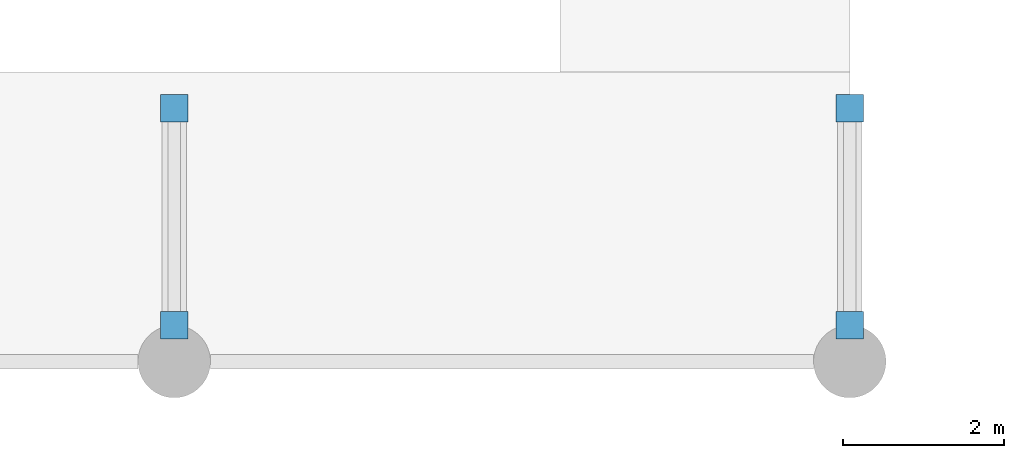
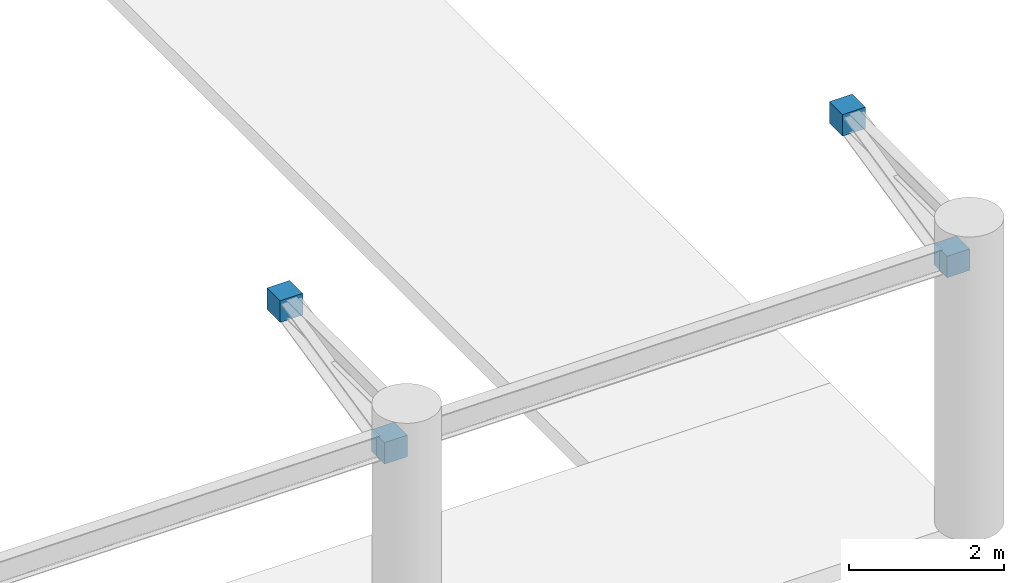
# One storey, part 24 of 49: 4 plates.
"""IFC4 building model written with IfcOpenShell, lengths in metres."""

from ifc_helpers import new_model, si_unit, direction, frame, origin, origin_2d, place, context, subcontext, project, spatial, rectangle, extrude, material, layer, layer_set, type_object, element, save


model = new_model("IFC4")

# Units and contexts
model_context = context("Model", 3, precision=1e-05, world=origin(), true_north=direction((0.0, 1.0)))
body_context = subcontext(model_context, "Body", "Model", "MODEL_VIEW")
ifc_project = project(units=[si_unit("LENGTHUNIT", "METRE"), si_unit("AREAUNIT", "SQUARE_METRE"), si_unit("VOLUMEUNIT", "CUBIC_METRE"), si_unit("PLANEANGLEUNIT", "RADIAN"), si_unit("MASSUNIT", "GRAM", prefix="KILO")], contexts=[model_context])

# Site, building, storey
site_placement = place(None, origin())
site = spatial("IfcSite", under=ifc_project, at=site_placement, CompositionType="ELEMENT")
building_placement = place(site_placement, origin())
building = spatial("IfcBuilding", under=site, at=building_placement, Name="Kenerak Square Central Library", CompositionType="ELEMENT")
storey_placement = place(building_placement, origin())
storey = spatial("IfcBuildingStorey", under=building, at=storey_placement, Name="L00", CompositionType="ELEMENT", Elevation=0.0)

# Plates
ifc_material = material(Name="Steel S355", Category="steel")
ifc_layer = layer(ifc_material, 0.02490234375)
ifc_layer_set = layer_set([ifc_layer], Name="Steel S355")
plate_type = type_object("IfcPlateType", Name="Lantern Cap Plate LNP-01 25mm S355", PredefinedType="USERDEFINED", material=ifc_layer_set)
for number, where, z_axis, x_axis, name in (
    (1, (167.60009765625, 13.64990234375, 3.72998046875), (0.0, 0.0, 1.0), (1.0, 0.0, 0.0), "Colonnade Tie Cleat Plate LNP-01 12-S"),
    (2, (167.60009765625, 16.35009765625, 4.330078125), (0.0, 0.0, 1.0), (1.0, 0.0, 0.0), "Colonnade Tie Cleat Plate LNP-01 12-N"),
    (3, (176.0, 13.64990234375, 3.72998046875), (0.0, 0.0, 1.0), (1.0, 0.0, 0.0), "Colonnade Tie Cleat Plate LNP-01 13-S"),
    (4, (176.0, 16.35009765625, 4.330078125), (0.0, 0.0, 1.0), (1.0, 0.0, 0.0), "Colonnade Tie Cleat Plate LNP-01 13-N"),
):
    element("IfcPlate", number, at=place(storey_placement, frame(where, z_axis=z_axis, x_axis=x_axis)), inside=storey, type_object=plate_type, Name=name, ObjectType="GUSSET PLATE", PredefinedType="USERDEFINED", context=body_context, shape_type="SweptSolid", body=[
        extrude(rectangle(XDim=0.340087890625, YDim=0.340087890625, at=origin_2d()), origin(), (0.0, 0.0, 1.0), 0.340087890625),
    ])

save(model, "model.ifc")
